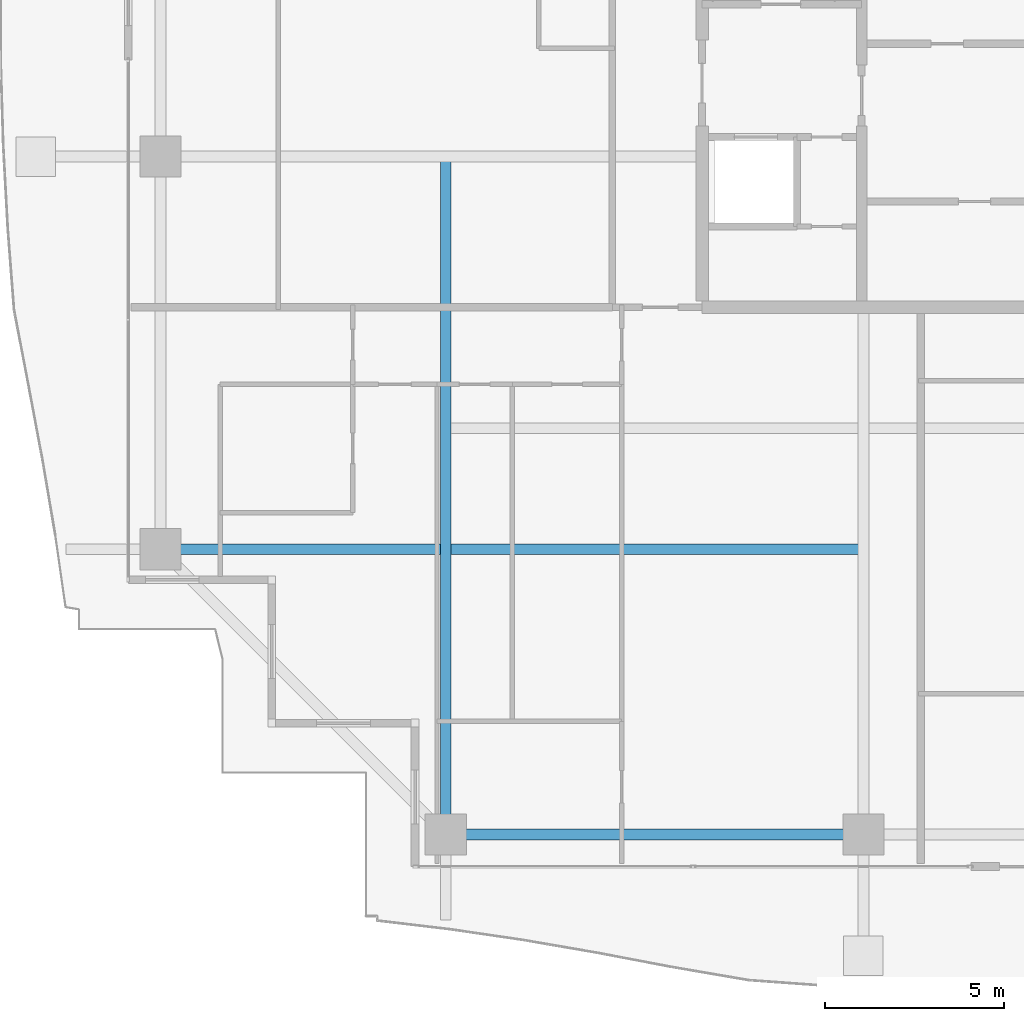
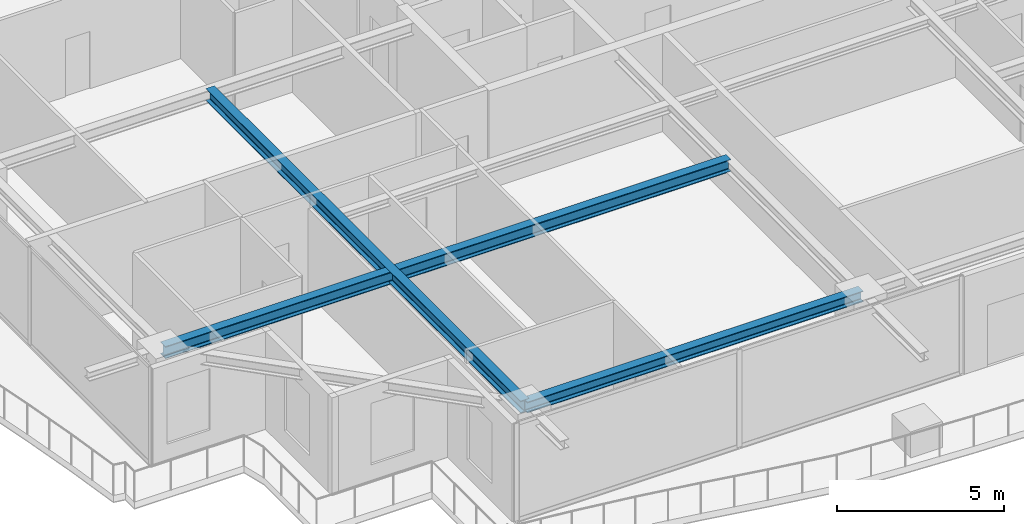
# One storey, part 4 of 35: 3 beams.
"""IFC4 building model written with IfcOpenShell, lengths in metres."""

from ifc_helpers import new_model, si_unit, direction, frame, origin, origin_2d, place, context, subcontext, project, spatial, i_section, extrude, source, transform, mapped, material, material_profile, profile_set, type_object, element, save


model = new_model("IFC4")

# Units and contexts
model_context = context("Model", 3, precision=1e-05, world=origin(), true_north=direction((0.0, 1.0)))
body_context = subcontext(model_context, "Body", "Model", "MODEL_VIEW")
ifc_project = project(units=[si_unit("LENGTHUNIT", "METRE"), si_unit("AREAUNIT", "SQUARE_METRE"), si_unit("VOLUMEUNIT", "CUBIC_METRE"), si_unit("PLANEANGLEUNIT", "RADIAN"), si_unit("MASSUNIT", "GRAM", prefix="KILO")], contexts=[model_context])

# Site, building, storey
site_placement = place(None, origin())
site = spatial("IfcSite", under=ifc_project, at=site_placement, CompositionType="ELEMENT")
building_placement = place(site_placement, origin())
building = spatial("IfcBuilding", under=site, at=building_placement, Name="Serunith Strait Residences", CompositionType="ELEMENT")
storey_placement = place(building_placement, frame((0.0, 0.0, 214.300048828125)))
storey = spatial("IfcBuildingStorey", under=building, at=storey_placement, Name="L53", CompositionType="ELEMENT", Elevation=214.300048828125)

# Beams
ifc_material = material(Name="Steel S355J2", Category="steel")
ifc_material_profile_1 = material_profile(ifc_material, i_section(OverallWidth=0.300048828125, OverallDepth=0.449951171875, WebThickness=0.013916015625, FlangeThickness=0.02587890625, FilletRadius=0.027099609375, at=origin_2d()), Name="HEB 450")
ifc_profile_set_1 = profile_set([ifc_material_profile_1], Name="Steel S355J2")
beam_type_1 = type_object("IfcBeamType", Name="BM-HEB450", PredefinedType="BEAM", material=ifc_profile_set_1)
shared_shape_1 = source(origin(), body_context, "Body", "SweptSolid", [
    extrude(i_section(OverallWidth=0.300048828125, OverallDepth=0.449951171875, WebThickness=0.013916015625, FlangeThickness=0.02587890625, FilletRadius=0.027099609375, at=origin_2d()), origin(), (0.0, 0.0, 1.0), 18.89990234375),
])
beam_1_placement = place(storey_placement, frame((16.25, 21.0, 3.362060546875), z_axis=(0.0, -1.0, 0.0), x_axis=(1.0, 0.0, 0.0)))
element("IfcBeam", 1, at=beam_1_placement, inside=storey, type_object=beam_type_1, Name="L53 Orthogonal Corner Girder TC-S1", PredefinedType="BEAM", context=body_context, shape_type="MappedRepresentation", body=[
    mapped(shared_shape_1, transform((0.0, 0.0, 0.0), scale=1.0)),
])
shared_shape_2 = source(origin(), body_context, "Body", "SweptSolid", [
    extrude(i_section(OverallWidth=0.300048828125, OverallDepth=0.449951171875, WebThickness=0.013916015625, FlangeThickness=0.02587890625, FilletRadius=0.027099609375, at=origin_2d()), origin(), (0.0, 0.0, 1.0), 19.599853515625),
])
beam_2_placement = place(storey_placement, frame((27.89990234375, 10.050048828125, 3.362060546875), z_axis=(-1.0, 0.0, 0.0), x_axis=(0.0, -1.0, 0.0)))
element("IfcBeam", 2, at=beam_2_placement, inside=storey, type_object=beam_type_1, Name="L53 Orthogonal Corner Girder TC-W1", PredefinedType="BEAM", context=body_context, shape_type="MappedRepresentation", body=[
    mapped(shared_shape_2, transform((0.0, 0.0, 0.0), scale=1.0)),
])
ifc_material_profile_2 = material_profile(ifc_material, i_section(OverallWidth=0.300048828125, OverallDepth=0.39990234375, WebThickness=0.013427734375, FlangeThickness=0.02392578125, FilletRadius=0.027099609375, at=origin_2d()), Name="HEB 400")
ifc_profile_set_2 = profile_set([ifc_material_profile_2], Name="Steel S355J2")
beam_type_2 = type_object("IfcBeamType", Name="BM-HEB400", PredefinedType="BEAM", material=ifc_profile_set_2)
shared_shape_3 = source(origin(), body_context, "Body", "SweptSolid", [
    extrude(i_section(OverallWidth=0.300048828125, OverallDepth=0.39990234375, WebThickness=0.013427734375, FlangeThickness=0.02392578125, FilletRadius=0.027099609375, at=origin_2d()), origin(), (0.0, 0.0, 1.0), 11.64990234375),
])
beam_3_placement = place(storey_placement, frame((16.25, 2.10009765625, 3.386962890625), z_axis=(1.0, 0.0, 0.0), x_axis=(0.0, 1.0, 0.0)))
element("IfcBeam", 3, at=beam_3_placement, inside=storey, type_object=beam_type_2, Name="L53 Perimeter Ring Beam 01", PredefinedType="BEAM", context=body_context, shape_type="MappedRepresentation", body=[
    mapped(shared_shape_3, transform((0.0, 0.0, 0.0), scale=1.0)),
])

save(model, "model.ifc")
